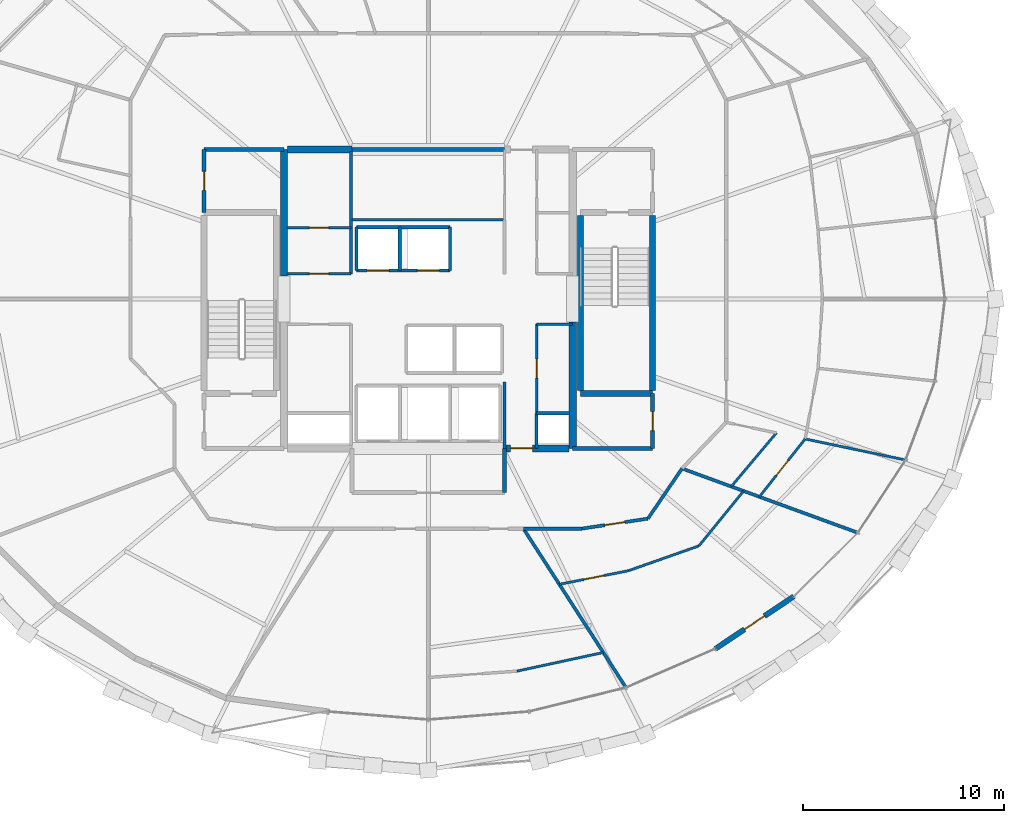
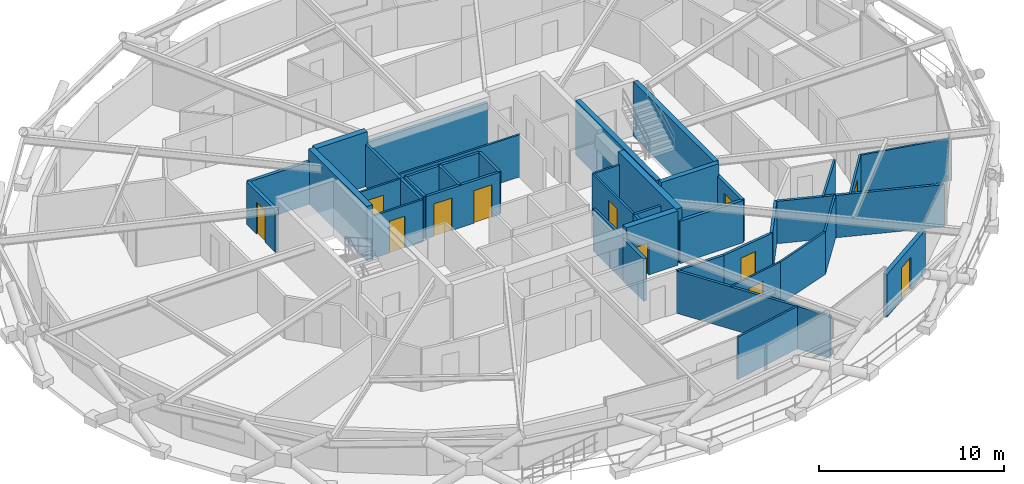
# One storey, part 16 of 20: 40 walls, 12 doors, 12 openings.
"""IFC4 building model written with IfcOpenShell, lengths in metres."""

from ifc_helpers import new_model, si_unit, direction, frame, frame_2d, origin, place, context, subcontext, project, spatial, rectangle, extrude, material, layer, layer_set, type_object, element, fill, save


model = new_model("IFC4")

# Units and contexts
model_context = context("Model", 3, precision=1e-05, world=origin(), true_north=direction((0.0, 1.0)))
body_context = subcontext(model_context, "Body", "Model", "MODEL_VIEW")
ifc_project = project(units=[si_unit("LENGTHUNIT", "METRE"), si_unit("AREAUNIT", "SQUARE_METRE"), si_unit("VOLUMEUNIT", "CUBIC_METRE"), si_unit("PLANEANGLEUNIT", "RADIAN"), si_unit("MASSUNIT", "GRAM", prefix="KILO")], contexts=[model_context])

# Site, building, storey
site_placement = place(None, origin())
site = spatial("IfcSite", under=ifc_project, at=site_placement, CompositionType="ELEMENT")
building_placement = place(site_placement, origin())
building = spatial("IfcBuilding", under=site, at=building_placement, Name="Veldorina Hangang Commons", CompositionType="ELEMENT")
storey_placement = place(building_placement, frame((0.0, 0.0, 153.199951171875)))
storey = spatial("IfcBuildingStorey", under=building, at=storey_placement, Name="L39", CompositionType="ELEMENT", Elevation=153.199951171875)

# Walls
ifc_material_1 = material(Name="Concrete C60/75", Category="concrete")
ifc_layer_1 = layer(ifc_material_1, 0.360107421875)
ifc_layer_set_1 = layer_set([ifc_layer_1], Name="Concrete C60/75")
wall_type_1 = type_object("IfcWallType", Name="CW-RC360-C60", PredefinedType="SHEAR", material=ifc_layer_set_1)
for number, where, z_axis, x_axis, name in (
    (1, (24.800048828125, 25.14990234375, 0.0), (0.0, 0.0, 1.0), (0.0, 1.0, 0.0), "L39 W north core shear wall"),
    (2, (39.199951171875, 16.550048828125, 0.0), (0.0, 0.0, 1.0), (0.0, 1.0, 0.0), "L39 E south core shear wall"),
):
    element("IfcWall", number, at=place(storey_placement, frame(where, z_axis=z_axis, x_axis=x_axis)), inside=storey, type_object=wall_type_1, Name=name, PredefinedType="SHEAR", context=body_context, shape_type="SweptSolid", body=[
        extrude(rectangle(XDim=6.300048828125, YDim=0.360107421875, at=frame_2d((3.14990234375, 0.0))), origin(), (0.0, 0.0, 1.0), 3.60009765625),
    ])

# Wall, opening, door
wall_1_placement = place(storey_placement, frame((35.800048828125, 16.550048828125, 0.0), z_axis=(0.0, 0.0, 1.0), x_axis=(1.0, 0.0, 0.0)))
wall_1 = element("IfcWall", 3, at=wall_1_placement, inside=storey, type_object=wall_type_1, Name="L39 south-east core shear wall", PredefinedType="SHEAR", context=body_context, shape_type="SweptSolid", body=[
    extrude(rectangle(XDim=3.219970703125, YDim=0.360107421875, at=frame_2d((1.60986328125, 0.0))), origin(), (0.0, 0.0, 1.0), 3.60009765625),
])
opening_1_placement = place(wall_1_placement, frame((0.300048828125, 0.0, 0.0)))
opening_1 = element("IfcOpeningElement", 4, at=opening_1_placement, cuts=wall_1, Name="Opening D-08", PredefinedType="OPENING", context=body_context, shape_type="SweptSolid", body=[
    extrude(rectangle(XDim=1.10009765625, YDim=2.10009765625, at=frame_2d((0.550048828125, 1.050048828125))), frame((0.0, 0.18994140625, 0.0), z_axis=(0.0, -1.0, 0.0), x_axis=(1.0, 0.0, 0.0)), (0.0, 0.0, 1.0), 0.380126953125),
])
ifc_material_2 = material(Name="Steel Fire-Rated Smoke Seal", Category="steel")
door_type_1 = type_object("IfcDoorType", Name="DR-FIRE-1100", OperationType="SINGLE_SWING_RIGHT", PredefinedType="DOOR", material=ifc_material_2)
door_1_placement = place(opening_1_placement, origin())
door_1 = element("IfcDoor", 5, at=door_1_placement, inside=storey, type_object=door_type_1, Name="L39 central lift lobby south corridor door", OperationType="SINGLE_SWING_RIGHT", OverallHeight=2.10009765625, OverallWidth=1.10009765625, PredefinedType="DOOR", context=body_context, shape_type="SweptSolid", body=[
    extrude(rectangle(XDim=1.10009765625, YDim=2.10009765625, at=frame_2d((0.550048828125, 1.050048828125))), frame((0.0, 0.02490234375, 0.0), z_axis=(0.0, -1.0, 0.0), x_axis=(1.0, 0.0, 0.0)), (0.0, 0.0, 1.0), 0.050048828125),
])
fill(opening_1, door_1)

# Wall
wall_2_placement = place(storey_placement, frame((24.97998046875, 31.449951171875, 0.0), z_axis=(0.0, 0.0, 1.0), x_axis=(1.0, 0.0, 0.0)))
element("IfcWall", 6, at=wall_2_placement, inside=storey, type_object=wall_type_1, Name="L39 north-west core shear wall", PredefinedType="SHEAR", context=body_context, shape_type="SweptSolid", body=[
    extrude(rectangle(XDim=3.219970703125, YDim=0.360107421875, at=frame_2d((1.60986328125, 0.0))), origin(), (0.0, 0.0, 1.0), 3.60009765625),
])

# Wall, opening, door
ifc_material_3 = material(Name="Stone Roman Travertine", Category="masonry")
ifc_layer_2 = layer(ifc_material_3, 0.260009765625)
ifc_layer_set_2 = layer_set([ifc_layer_2], Name="Stone Roman Travertine")
wall_type_2 = type_object("IfcWallType", Name="EW-LOGGIA-260", PredefinedType="STANDARD", material=ifc_layer_set_2)
wall_3_placement = place(storey_placement, frame((46.311767578125, 6.558837890625, 0.0), z_axis=(0.0, 0.0, 1.0), x_axis=(0.831449829395, 0.555599839092, 0.0)))
wall_3 = element("IfcWall", 7, at=wall_3_placement, inside=storey, type_object=wall_type_2, Name="L39 sky-garden loggia portal wall 27", PredefinedType="STANDARD", context=body_context, shape_type="SweptSolid", body=[
    extrude(rectangle(XDim=4.695068359375, YDim=0.260009765625, at=frame_2d((2.34765625, 0.0))), origin(), (0.0, 0.0, 1.0), 2.820068359375),
])
opening_2_placement = place(wall_3_placement, frame((1.74755859375, 0.0, 0.0)))
opening_2 = element("IfcOpeningElement", 8, at=opening_2_placement, cuts=wall_3, Name="Opening BD-1200", PredefinedType="OPENING", context=body_context, shape_type="SweptSolid", body=[
    extrude(rectangle(XDim=1.199951171875, YDim=2.14990234375, at=frame_2d((0.60009765625, 1.074951171875))), frame((0.0, 0.14013671875, 0.0), z_axis=(0.0, -1.0, 0.0), x_axis=(1.0, 0.0, 0.0)), (0.0, 0.0, 1.0), 0.280029296875),
])
ifc_material_4 = material(Name="Glass Thermal Aluminium Frame", Category="aluminium")
door_type_2 = type_object("IfcDoorType", Name="DR-EXT-LOG1200", OperationType="SINGLE_SWING_LEFT", PredefinedType="DOOR", material=ifc_material_4)
door_2_placement = place(opening_2_placement, origin())
door_2 = element("IfcDoor", 9, at=door_2_placement, inside=storey, type_object=door_type_2, Name="L39 loggia glazed exterior door 27", OperationType="SINGLE_SWING_RIGHT", OverallHeight=2.14990234375, OverallWidth=1.199951171875, PredefinedType="DOOR", context=body_context, shape_type="SweptSolid", body=[
    extrude(rectangle(XDim=1.199951171875, YDim=2.14990234375, at=frame_2d((0.60009765625, 1.074951171875))), frame((0.0, 0.02490234375, 0.0), z_axis=(0.0, -1.0, 0.0), x_axis=(1.0, 0.0, 0.0)), (0.0, 0.0, 1.0), 0.050048828125),
])
fill(opening_2, door_2)

# Walls
ifc_material_5 = material(Name="Concrete C50/60", Category="concrete")
ifc_layer_3 = layer(ifc_material_5, 0.300048828125)
ifc_layer_set_3 = layer_set([ifc_layer_3], Name="Concrete C50/60")
wall_type_3 = type_object("IfcWallType", Name="SW-STAIR-300", PredefinedType="SHEAR", material=ifc_layer_set_3)
for number, where, z_axis, x_axis, name in (
    (10, (43.179931640625, 19.429931640625, 0.0), (0.0, 0.0, 1.0), (0.0, 1.0, 0.0), "L39 ST2 outer stair shear wall"),
    (11, (39.580078125, 19.429931640625, 0.0), (0.0, 0.0, 1.0), (0.0, 1.0, 0.0), "L39 ST2 inner stair shear wall"),
):
    element("IfcWall", number, at=place(storey_placement, frame(where, z_axis=z_axis, x_axis=x_axis)), inside=storey, type_object=wall_type_3, Name=name, PredefinedType="SHEAR", context=body_context, shape_type="SweptSolid", body=[
        extrude(rectangle(XDim=8.739990234375, YDim=0.300048828125, at=frame_2d((4.3701171875, 0.0))), origin(), (0.0, 0.0, 1.0), 3.60009765625),
    ])
wall_4_placement = place(storey_placement, frame((39.580078125, 19.280029296875, 0.0), z_axis=(0.0, 0.0, 1.0), x_axis=(1.0, 0.0, 0.0)))
element("IfcWall", 12, at=wall_4_placement, inside=storey, type_object=wall_type_3, Name="L39 ST2 south stair shear wall", PredefinedType="SHEAR", context=body_context, shape_type="SweptSolid", body=[
    extrude(rectangle(XDim=3.599853515625, YDim=0.300048828125, at=frame_2d((1.7998046875, 0.0))), origin(), (0.0, 0.0, 1.0), 3.60009765625),
])
ifc_material_6 = material(Name="Gypsum Fire-Rated Twin Stud Wall", Category="gypsum")
ifc_layer_4 = layer(ifc_material_6, 0.159912109375)
ifc_layer_set_4 = layer_set([ifc_layer_4], Name="Gypsum Fire-Rated Twin Stud Wall")
wall_type_4 = type_object("IfcWallType", Name="WL-FIRE-160", PredefinedType="SOLIDWALL", material=ifc_layer_set_4)
wall_5_placement = place(storey_placement, frame((35.800048828125, 16.550048828125, 0.0), z_axis=(0.0, 0.0, 1.0), x_axis=(0.0, 1.0, 0.0)))
element("IfcWall", 13, at=wall_5_placement, inside=storey, type_object=wall_type_4, Name="L39 Lift passage SW wall 009", PredefinedType="SOLIDWALL", context=body_context, shape_type="SweptSolid", body=[
    extrude(rectangle(XDim=3.300048828125, YDim=0.159912109375, at=frame_2d((1.64990234375, 0.0))), origin(), (0.0, 0.0, 1.0), 2.800048828125),
])
wall_6_placement = place(storey_placement, frame((37.39990234375, 16.550048828125, 0.0), z_axis=(0.0, 0.0, 1.0), x_axis=(0.0, 1.0, 0.0)))
element("IfcWall", 14, at=wall_6_placement, inside=storey, type_object=wall_type_4, Name="L39 Lift passage SE stub 010", PredefinedType="SOLIDWALL", context=body_context, shape_type="SweptSolid", body=[
    extrude(rectangle(XDim=1.75, YDim=0.159912109375, at=frame_2d((0.875, 0.0))), origin(), (0.0, 0.0, 1.0), 2.800048828125),
])

# Wall, openings, doors
wall_7_placement = place(storey_placement, frame((28.419921875, 25.419921875, 0.0), z_axis=(0.0, 0.0, 1.0), x_axis=(1.0, 0.0, 0.0)))
wall_7 = element("IfcWall", 15, at=wall_7_placement, inside=storey, type_object=wall_type_4, Name="L39 Mid-high front shaft wall 015", PredefinedType="SOLIDWALL", context=body_context, shape_type="SweptSolid", body=[
    extrude(rectangle(XDim=4.66015625, YDim=0.159912109375, at=frame_2d((2.330078125, 0.0))), origin(), (0.0, 0.0, 1.0), 2.800048828125),
])
opening_3_placement = place(wall_7_placement, frame((0.530029296875, 0.0, 0.0)))
opening_3 = element("IfcOpeningElement", 16, at=opening_3_placement, cuts=wall_7, Name="Opening LD-01", PredefinedType="OPENING", context=body_context, shape_type="SweptSolid", body=[
    extrude(rectangle(XDim=1.10009765625, YDim=2.14990234375, at=frame_2d((0.550048828125, 1.074951171875))), frame((0.0, 0.08984375, 0.0), z_axis=(0.0, -1.0, 0.0), x_axis=(1.0, 0.0, 0.0)), (0.0, 0.0, 1.0), 0.179931640625),
])
opening_4_placement = place(wall_7_placement, frame((3.030029296875, 0.0, 0.0)))
opening_4 = element("IfcOpeningElement", 17, at=opening_4_placement, cuts=wall_7, Name="Opening LD-01", PredefinedType="OPENING", context=body_context, shape_type="SweptSolid", body=[
    extrude(rectangle(XDim=1.10009765625, YDim=2.14990234375, at=frame_2d((0.550048828125, 1.074951171875))), frame((0.0, 0.08984375, 0.0), z_axis=(0.0, -1.0, 0.0), x_axis=(1.0, 0.0, 0.0)), (0.0, 0.0, 1.0), 0.179931640625),
])
ifc_material_7 = material(Name="Stainless Steel Brushed Lift Door", Category="steel")
door_type_3 = type_object("IfcDoorType", Name="DR-LIFT-1100", OperationType="SLIDING_TO_LEFT", PredefinedType="DOOR", material=ifc_material_7)
door_3_placement = place(opening_3_placement, origin())
door_3 = element("IfcDoor", 18, at=door_3_placement, inside=storey, type_object=door_type_3, Name="L39 Lift PL-M1 landing door 006", OperationType="SLIDING_TO_RIGHT", OverallHeight=2.14990234375, OverallWidth=1.10009765625, PredefinedType="DOOR", context=body_context, shape_type="SweptSolid", body=[
    extrude(rectangle(XDim=1.10009765625, YDim=2.14990234375, at=frame_2d((0.550048828125, 1.074951171875))), frame((0.0, 0.02490234375, 0.0), z_axis=(0.0, -1.0, 0.0), x_axis=(1.0, 0.0, 0.0)), (0.0, 0.0, 1.0), 0.050048828125),
])
fill(opening_3, door_3)
door_4_placement = place(opening_4_placement, origin())
door_4 = element("IfcDoor", 19, at=door_4_placement, inside=storey, type_object=door_type_3, Name="L39 Lift PL-M2 landing door 007", OperationType="SLIDING_TO_RIGHT", OverallHeight=2.14990234375, OverallWidth=1.10009765625, PredefinedType="DOOR", context=body_context, shape_type="SweptSolid", body=[
    extrude(rectangle(XDim=1.10009765625, YDim=2.14990234375, at=frame_2d((0.550048828125, 1.074951171875))), frame((0.0, 0.02490234375, 0.0), z_axis=(0.0, -1.0, 0.0), x_axis=(1.0, 0.0, 0.0)), (0.0, 0.0, 1.0), 0.050048828125),
])
fill(opening_4, door_4)

# Walls
wall_8_placement = place(storey_placement, frame((28.419921875, 27.580078125, 0.0), z_axis=(0.0, 0.0, 1.0), x_axis=(1.0, 0.0, 0.0)))
element("IfcWall", 20, at=wall_8_placement, inside=storey, type_object=wall_type_4, Name="L39 Mid-high rear shaft wall 016", PredefinedType="SOLIDWALL", context=body_context, shape_type="SweptSolid", body=[
    extrude(rectangle(XDim=4.66015625, YDim=0.159912109375, at=frame_2d((2.330078125, 0.0))), origin(), (0.0, 0.0, 1.0), 2.800048828125),
])
for number, where, z_axis, x_axis, name in (
    (21, (28.419921875, 25.419921875, 0.0), (0.0, 0.0, 1.0), (0.0, 1.0, 0.0), "L39 PL-M1 west shaft wall 017"),
    (22, (30.580078125, 25.419921875, 0.0), (0.0, 0.0, 1.0), (0.0, 1.0, 0.0), "L39 PL-M1 east shaft wall 018"),
    (23, (33.080078125, 25.419921875, 0.0), (0.0, 0.0, 1.0), (0.0, 1.0, 0.0), "L39 PL-M2 east shaft wall 019"),
):
    element("IfcWall", number, at=place(storey_placement, frame(where, z_axis=z_axis, x_axis=x_axis)), inside=storey, type_object=wall_type_4, Name=name, PredefinedType="SOLIDWALL", context=body_context, shape_type="SweptSolid", body=[
        extrude(rectangle(XDim=2.16015625, YDim=0.159912109375, at=frame_2d((1.080078125, 0.0))), origin(), (0.0, 0.0, 1.0), 2.800048828125),
    ])
wall_9_placement = place(storey_placement, frame((37.39990234375, 18.300048828125, 0.0), z_axis=(0.0, 0.0, 1.0), x_axis=(1.0, 0.0, 0.0)))
element("IfcWall", 24, at=wall_9_placement, inside=storey, type_object=wall_type_4, Name="L39 Plumbing riser wall 036", PredefinedType="SOLIDWALL", context=body_context, shape_type="SweptSolid", body=[
    extrude(rectangle(XDim=1.650146484375, YDim=0.159912109375, at=frame_2d((0.8251953125, 0.0))), origin(), (0.0, 0.0, 1.0), 2.800048828125),
])
wall_10_placement = place(storey_placement, frame((28.14990234375, 25.25, 0.0), z_axis=(0.0, 0.0, 1.0), x_axis=(0.0, 1.0, 0.0)))
element("IfcWall", 25, at=wall_10_placement, inside=storey, type_object=wall_type_4, Name="L39 NW core inner wall 037", PredefinedType="SOLIDWALL", context=body_context, shape_type="SweptSolid", body=[
    extrude(rectangle(XDim=6.10009765625, YDim=0.159912109375, at=frame_2d((3.050048828125, 0.0))), origin(), (0.0, 0.0, 1.0), 2.800048828125),
])
wall_11_placement = place(storey_placement, frame((36.74267578125, 12.550048828125, 0.0), z_axis=(0.0, 0.0, 1.0), x_axis=(1.0, 0.0, 0.0)))
element("IfcWall", 26, at=wall_11_placement, inside=storey, type_object=wall_type_4, Name="L39 U-corridor outer wall 26 072", PredefinedType="SOLIDWALL", context=body_context, shape_type="SweptSolid", body=[
    extrude(rectangle(XDim=2.907958984375, YDim=0.159912109375, at=frame_2d((1.4541015625, 0.0))), origin(), (0.0, 0.0, 1.0), 2.800048828125),
])

# Wall, opening, door
wall_12_placement = place(storey_placement, frame((39.650634765625, 12.550048828125, 0.0), z_axis=(0.0, 0.0, 1.0), x_axis=(0.988710906508, 0.149835721217, 0.0)))
wall_12 = element("IfcWall", 27, at=wall_12_placement, inside=storey, type_object=wall_type_4, Name="L39 U-corridor outer wall 27 073", PredefinedType="SOLIDWALL", context=body_context, shape_type="SweptSolid", body=[
    extrude(rectangle(XDim=3.3369140625, YDim=0.159912109375, at=frame_2d((1.66845703125, 0.0))), origin(), (0.0, 0.0, 1.0), 2.800048828125),
])
opening_5_placement = place(wall_12_placement, frame((1.16845703125, 0.0, 0.0)))
opening_5 = element("IfcOpeningElement", 28, at=opening_5_placement, cuts=wall_12, Name="Opening D-05", PredefinedType="OPENING", context=body_context, shape_type="SweptSolid", body=[
    extrude(rectangle(XDim=1.0, YDim=2.10009765625, at=frame_2d((0.5, 1.050048828125))), frame((0.0, 0.08984375, 0.0), z_axis=(0.0, -1.0, 0.0), x_axis=(1.0, 0.0, 0.0)), (0.0, 0.0, 1.0), 0.179931640625),
])
ifc_material_8 = material(Name="Timber Solid Core Acoustic", Category="wood")
door_type_4 = type_object("IfcDoorType", Name="DR-INT-1000", OperationType="SINGLE_SWING_RIGHT", PredefinedType="DOOR", material=ifc_material_8)
door_5_placement = place(opening_5_placement, origin())
door_5 = element("IfcDoor", 29, at=door_5_placement, inside=storey, type_object=door_type_4, Name="L39 Commons alcove door 018", OperationType="SINGLE_SWING_RIGHT", OverallHeight=2.10009765625, OverallWidth=1.0, PredefinedType="DOOR", context=body_context, shape_type="SweptSolid", body=[
    extrude(rectangle(XDim=1.0, YDim=2.10009765625, at=frame_2d((0.5, 1.050048828125))), frame((0.0, 0.02490234375, 0.0), z_axis=(0.0, -1.0, 0.0), x_axis=(1.0, 0.0, 0.0)), (0.0, 0.0, 1.0), 0.050048828125),
])
fill(opening_5, door_5)

# Walls
wall_13_placement = place(storey_placement, frame((42.949951171875, 13.050048828125, 0.0), z_axis=(0.0, 0.0, 1.0), x_axis=(0.562674669208, 0.826678423955, 0.0)))
element("IfcWall", 30, at=wall_13_placement, inside=storey, type_object=wall_type_4, Name="L39 U-corridor outer wall 28 074", PredefinedType="SOLIDWALL", context=body_context, shape_type="SweptSolid", body=[
    extrude(rectangle(XDim=3.021240234375, YDim=0.159912109375, at=frame_2d((1.5107421875, 0.0))), origin(), (0.0, 0.0, 1.0), 2.800048828125),
])
wall_14_placement = place(storey_placement, frame((36.74267578125, 12.550048828125, 0.0), z_axis=(0.0, 0.0, 1.0), x_axis=(0.542092508386, -0.840318815898, 0.0)))
element("IfcWall", 31, at=wall_14_placement, inside=storey, type_object=wall_type_4, Name="L39 Unit party wall 26 078", PredefinedType="SOLIDWALL", context=body_context, shape_type="SweptSolid", body=[
    extrude(rectangle(XDim=9.386474609375, YDim=0.159912109375, at=frame_2d((4.693359375, 0.0))), origin(), (0.0, 0.0, 1.0), 2.800048828125),
])
wall_15_placement = place(storey_placement, frame((44.64990234375, 15.547607421875, 0.0), z_axis=(0.0, 0.0, 1.0), x_axis=(0.939358933145, -0.342935554763, 0.0)))
element("IfcWall", 32, at=wall_15_placement, inside=storey, type_object=wall_type_4, Name="L39 Unit party wall 29 082", PredefinedType="SOLIDWALL", context=body_context, shape_type="SweptSolid", body=[
    extrude(rectangle(XDim=9.285400390625, YDim=0.159912109375, at=frame_2d((4.642578125, 0.0))), origin(), (0.0, 0.0, 1.0), 2.800048828125),
])

# Wall, opening, door
ifc_material_9 = material(Name="Concrete Blockwork Fire Wall C30/37", Category="masonry")
ifc_layer_5 = layer(ifc_material_9, 0.199951171875)
ifc_layer_set_5 = layer_set([ifc_layer_5], Name="Concrete Blockwork Fire Wall C30/37")
wall_type_5 = type_object("IfcWallType", Name="WL-FIRE-200", PredefinedType="SOLIDWALL", material=ifc_layer_set_5)
wall_16_placement = place(storey_placement, frame((20.820068359375, 28.320068359375, 0.0), z_axis=(0.0, 0.0, 1.0), x_axis=(0.0, 1.0, 0.0)))
wall_16 = element("IfcWall", 33, at=wall_16_placement, inside=storey, type_object=wall_type_5, Name="L39 NW core room outer wall 005", PredefinedType="SOLIDWALL", context=body_context, shape_type="SweptSolid", body=[
    extrude(rectangle(XDim=3.1298828125, YDim=0.199951171875, at=frame_2d((1.56494140625, 0.0))), origin(), (0.0, 0.0, 1.0), 2.800048828125),
])
opening_6_placement = place(wall_16_placement, frame((1.090087890625, 0.0, 0.0)))
opening_6 = element("IfcOpeningElement", 34, at=opening_6_placement, cuts=wall_16, Name="Opening D-04", PredefinedType="OPENING", context=body_context, shape_type="SweptSolid", body=[
    extrude(rectangle(XDim=0.949951171875, YDim=2.10009765625, at=frame_2d((0.47509765625, 1.050048828125))), frame((0.0, 0.10986328125, 0.0), z_axis=(0.0, -1.0, 0.0), x_axis=(1.0, 0.0, 0.0)), (0.0, 0.0, 1.0), 0.219970703125),
])
ifc_material_10 = material(Name="Timber Accessible Flush Leaf", Category="wood")
door_type_5 = type_object("IfcDoorType", Name="DR-ACC-950", OperationType="SINGLE_SWING_LEFT", PredefinedType="DOOR", material=ifc_material_10)
door_6_placement = place(opening_6_placement, origin())
door_6 = element("IfcDoor", 35, at=door_6_placement, inside=storey, type_object=door_type_5, Name="L39 NW core WC door 003", OperationType="SINGLE_SWING_LEFT", OverallHeight=2.10009765625, OverallWidth=0.949951171875, PredefinedType="DOOR", context=body_context, shape_type="SweptSolid", body=[
    extrude(rectangle(XDim=0.949951171875, YDim=2.10009765625, at=frame_2d((0.47509765625, 1.050048828125))), frame((0.0, 0.02490234375, 0.0), z_axis=(0.0, -1.0, 0.0), x_axis=(1.0, 0.0, 0.0)), (0.0, 0.0, 1.0), 0.050048828125),
])
fill(opening_6, door_6)

# Wall
wall_17_placement = place(storey_placement, frame((20.820068359375, 31.449951171875, 0.0), z_axis=(0.0, 0.0, 1.0), x_axis=(1.0, 0.0, 0.0)))
element("IfcWall", 36, at=wall_17_placement, inside=storey, type_object=wall_type_5, Name="L39 NW core room north wall 006", PredefinedType="SOLIDWALL", context=body_context, shape_type="SweptSolid", body=[
    extrude(rectangle(XDim=3.97998046875, YDim=0.199951171875, at=frame_2d((1.989990234375, 0.0))), origin(), (0.0, 0.0, 1.0), 2.800048828125),
])

# Wall, opening, door
wall_18_placement = place(storey_placement, frame((43.179931640625, 16.550048828125, 0.0), z_axis=(0.0, 0.0, 1.0), x_axis=(0.0, 1.0, 0.0)))
wall_18 = element("IfcWall", 37, at=wall_18_placement, inside=storey, type_object=wall_type_5, Name="L39 SE core room outer wall 007", PredefinedType="SOLIDWALL", context=body_context, shape_type="SweptSolid", body=[
    extrude(rectangle(XDim=2.72998046875, YDim=0.199951171875, at=frame_2d((1.364990234375, 0.0))), origin(), (0.0, 0.0, 1.0), 2.800048828125),
])
opening_7_placement = place(wall_18_placement, frame((0.889892578125, 0.0, 0.0)))
opening_7 = element("IfcOpeningElement", 38, at=opening_7_placement, cuts=wall_18, Name="Opening D-02", PredefinedType="OPENING", context=body_context, shape_type="SweptSolid", body=[
    extrude(rectangle(XDim=0.949951171875, YDim=2.10009765625, at=frame_2d((0.47509765625, 1.050048828125))), frame((0.0, 0.10986328125, 0.0), z_axis=(0.0, -1.0, 0.0), x_axis=(1.0, 0.0, 0.0)), (0.0, 0.0, 1.0), 0.219970703125),
])
door_type_6 = type_object("IfcDoorType", Name="DR-INT-950", OperationType="SINGLE_SWING_LEFT", PredefinedType="DOOR", material=ifc_material_8)
door_7_placement = place(opening_7_placement, origin())
door_7 = element("IfcDoor", 39, at=door_7_placement, inside=storey, type_object=door_type_6, Name="L39 SE core WC door 004", OperationType="SINGLE_SWING_RIGHT", OverallHeight=2.10009765625, OverallWidth=0.949951171875, PredefinedType="DOOR", context=body_context, shape_type="SweptSolid", body=[
    extrude(rectangle(XDim=0.949951171875, YDim=2.10009765625, at=frame_2d((0.47509765625, 1.050048828125))), frame((0.0, 0.02490234375, 0.0), z_axis=(0.0, -1.0, 0.0), x_axis=(1.0, 0.0, 0.0)), (0.0, 0.0, 1.0), 0.050048828125),
])
fill(opening_7, door_7)

# Walls
wall_19_placement = place(storey_placement, frame((39.199951171875, 16.550048828125, 0.0), z_axis=(0.0, 0.0, 1.0), x_axis=(1.0, 0.0, 0.0)))
element("IfcWall", 40, at=wall_19_placement, inside=storey, type_object=wall_type_5, Name="L39 SE core room south wall 008", PredefinedType="SOLIDWALL", context=body_context, shape_type="SweptSolid", body=[
    extrude(rectangle(XDim=3.97998046875, YDim=0.199951171875, at=frame_2d((1.989990234375, 0.0))), origin(), (0.0, 0.0, 1.0), 2.800048828125),
])
wall_20_placement = place(storey_placement, frame((35.800048828125, 14.35009765625, 0.0), z_axis=(0.0, 0.0, 1.0), x_axis=(0.0, 1.0, 0.0)))
element("IfcWall", 41, at=wall_20_placement, inside=storey, type_object=wall_type_5, Name="L39 FF lobby east wall 013", PredefinedType="SOLIDWALL", context=body_context, shape_type="SweptSolid", body=[
    extrude(rectangle(XDim=2.199951171875, YDim=0.199951171875, at=frame_2d((1.10009765625, 0.0))), origin(), (0.0, 0.0, 1.0), 2.800048828125),
])
wall_21_placement = place(storey_placement, frame((28.199951171875, 31.449951171875, 0.0), z_axis=(0.0, 0.0, 1.0), x_axis=(1.0, 0.0, 0.0)))
element("IfcWall", 42, at=wall_21_placement, inside=storey, type_object=wall_type_5, Name="L39 Merged north core wall 031", PredefinedType="SOLIDWALL", context=body_context, shape_type="SweptSolid", body=[
    extrude(rectangle(XDim=7.60009765625, YDim=0.199951171875, at=frame_2d((3.800048828125, 0.0))), origin(), (0.0, 0.0, 1.0), 2.800048828125),
])
ifc_material_11 = material(Name="Gypsum Acoustic Stud Partition", Category="gypsum")
ifc_layer_6 = layer(ifc_material_11, 0.1201171875)
ifc_layer_set_6 = layer_set([ifc_layer_6], Name="Gypsum Acoustic Stud Partition")
wall_type_6 = type_object("IfcWallType", Name="WL-PART-120", PredefinedType="PARTITIONING", material=ifc_layer_set_6)
wall_22_placement = place(storey_placement, frame((28.199951171875, 27.949951171875, 0.0), z_axis=(0.0, 0.0, 1.0), x_axis=(1.0, 0.0, 0.0)))
element("IfcWall", 43, at=wall_22_placement, inside=storey, type_object=wall_type_6, Name="L39 Merged north south wall 032", PredefinedType="PARTITIONING", context=body_context, shape_type="SweptSolid", body=[
    extrude(rectangle(XDim=7.60009765625, YDim=0.1201171875, at=frame_2d((3.800048828125, 0.0))), origin(), (0.0, 0.0, 1.0), 2.800048828125),
])

# Wall, opening, door
wall_23_placement = place(storey_placement, frame((24.949951171875, 25.25, 0.0), z_axis=(0.0, 0.0, 1.0), x_axis=(1.0, 0.0, 0.0)))
wall_23 = element("IfcWall", 44, at=wall_23_placement, inside=storey, type_object=wall_type_6, Name="L39 NW service south wall 038", PredefinedType="PARTITIONING", context=body_context, shape_type="SweptSolid", body=[
    extrude(rectangle(XDim=3.199951171875, YDim=0.1201171875, at=frame_2d((1.60009765625, 0.0))), origin(), (0.0, 0.0, 1.0), 2.800048828125),
])
opening_8_placement = place(wall_23_placement, frame((1.125, 0.0, 0.0)))
opening_8 = element("IfcOpeningElement", 45, at=opening_8_placement, cuts=wall_23, Name="Opening D-02", PredefinedType="OPENING", context=body_context, shape_type="SweptSolid", body=[
    extrude(rectangle(XDim=0.949951171875, YDim=2.10009765625, at=frame_2d((0.47509765625, 1.050048828125))), frame((0.0, 0.070068359375, 0.0), z_axis=(0.0, -1.0, 0.0), x_axis=(1.0, 0.0, 0.0)), (0.0, 0.0, 1.0), 0.14013671875),
])
door_8_placement = place(opening_8_placement, origin())
door_8 = element("IfcDoor", 46, at=door_8_placement, inside=storey, type_object=door_type_6, Name="L39 Housekeeping pantry door 012", OperationType="SINGLE_SWING_RIGHT", OverallHeight=2.10009765625, OverallWidth=0.949951171875, PredefinedType="DOOR", context=body_context, shape_type="SweptSolid", body=[
    extrude(rectangle(XDim=0.949951171875, YDim=2.10009765625, at=frame_2d((0.47509765625, 1.050048828125))), frame((0.0, 0.02490234375, 0.0), z_axis=(0.0, -1.0, 0.0), x_axis=(1.0, 0.0, 0.0)), (0.0, 0.0, 1.0), 0.050048828125),
])
fill(opening_8, door_8)

wall_24_placement = place(storey_placement, frame((37.39990234375, 18.300048828125, 0.0), z_axis=(0.0, 0.0, 1.0), x_axis=(0.0, 1.0, 0.0)))
wall_24 = element("IfcWall", 47, at=wall_24_placement, inside=storey, type_object=wall_type_6, Name="L39 SE strip lobby wall 042", PredefinedType="PARTITIONING", context=body_context, shape_type="SweptSolid", body=[
    extrude(rectangle(XDim=4.449951171875, YDim=0.1201171875, at=frame_2d((2.22509765625, 0.0))), origin(), (0.0, 0.0, 1.0), 2.800048828125),
])
opening_9_placement = place(wall_24_placement, frame((1.75, 0.0, 0.0)))
opening_9 = element("IfcOpeningElement", 48, at=opening_9_placement, cuts=wall_24, Name="Opening D-02", PredefinedType="OPENING", context=body_context, shape_type="SweptSolid", body=[
    extrude(rectangle(XDim=0.949951171875, YDim=2.10009765625, at=frame_2d((0.47509765625, 1.050048828125))), frame((0.0, 0.070068359375, 0.0), z_axis=(0.0, -1.0, 0.0), x_axis=(1.0, 0.0, 0.0)), (0.0, 0.0, 1.0), 0.14013671875),
])
door_9_placement = place(opening_9_placement, origin())
door_9 = element("IfcDoor", 49, at=door_9_placement, inside=storey, type_object=door_type_6, Name="L39 Cleaners supply door 017", OperationType="SINGLE_SWING_LEFT", OverallHeight=2.10009765625, OverallWidth=0.949951171875, PredefinedType="DOOR", context=body_context, shape_type="SweptSolid", body=[
    extrude(rectangle(XDim=0.949951171875, YDim=2.10009765625, at=frame_2d((0.47509765625, 1.050048828125))), frame((0.0, 0.02490234375, 0.0), z_axis=(0.0, -1.0, 0.0), x_axis=(1.0, 0.0, 0.0)), (0.0, 0.0, 1.0), 0.050048828125),
])
fill(opening_9, door_9)

# Wall
wall_25_placement = place(storey_placement, frame((37.39990234375, 22.75, 0.0), z_axis=(0.0, 0.0, 1.0), x_axis=(1.0, 0.0, 0.0)))
element("IfcWall", 50, at=wall_25_placement, inside=storey, type_object=wall_type_6, Name="L39 SE strip north return wall 043", PredefinedType="PARTITIONING", context=body_context, shape_type="SweptSolid", body=[
    extrude(rectangle(XDim=1.800048828125, YDim=0.1201171875, at=frame_2d((0.89990234375, 0.0))), origin(), (0.0, 0.0, 1.0), 2.800048828125),
])

# Wall, opening, door
wall_26_placement = place(storey_placement, frame((24.949951171875, 27.550048828125, 0.0), z_axis=(0.0, 0.0, 1.0), x_axis=(1.0, 0.0, 0.0)))
wall_26 = element("IfcWall", 51, at=wall_26_placement, inside=storey, type_object=wall_type_6, Name="L39 NW mid wall 044", PredefinedType="PARTITIONING", context=body_context, shape_type="SweptSolid", body=[
    extrude(rectangle(XDim=3.199951171875, YDim=0.1201171875, at=frame_2d((1.60009765625, 0.0))), origin(), (0.0, 0.0, 1.0), 2.800048828125),
])
opening_10_placement = place(wall_26_placement, frame((1.125, 0.0, 0.0)))
opening_10 = element("IfcOpeningElement", 52, at=opening_10_placement, cuts=wall_26, Name="Opening D-02", PredefinedType="OPENING", context=body_context, shape_type="SweptSolid", body=[
    extrude(rectangle(XDim=0.949951171875, YDim=2.10009765625, at=frame_2d((0.47509765625, 1.050048828125))), frame((0.0, 0.070068359375, 0.0), z_axis=(0.0, -1.0, 0.0), x_axis=(1.0, 0.0, 0.0)), (0.0, 0.0, 1.0), 0.14013671875),
])
door_10_placement = place(opening_10_placement, origin())
door_10 = element("IfcDoor", 53, at=door_10_placement, inside=storey, type_object=door_type_6, Name="L39 Bedding store door 013", OperationType="SINGLE_SWING_LEFT", OverallHeight=2.10009765625, OverallWidth=0.949951171875, PredefinedType="DOOR", context=body_context, shape_type="SweptSolid", body=[
    extrude(rectangle(XDim=0.949951171875, YDim=2.10009765625, at=frame_2d((0.47509765625, 1.050048828125))), frame((0.0, 0.02490234375, 0.0), z_axis=(0.0, -1.0, 0.0), x_axis=(1.0, 0.0, 0.0)), (0.0, 0.0, 1.0), 0.050048828125),
])
fill(opening_10, door_10)

wall_27_placement = place(storey_placement, frame((38.533203125, 9.774658203125, 0.0), z_axis=(0.0, 0.0, 1.0), x_axis=(0.98119294685, 0.193029534142, 0.0)))
wall_27 = element("IfcWall", 54, at=wall_27_placement, inside=storey, type_object=wall_type_6, Name="L39 Lounge alcove split 0 079", PredefinedType="PARTITIONING", context=body_context, shape_type="SweptSolid", body=[
    extrude(rectangle(XDim=3.514892578125, YDim=0.1201171875, at=frame_2d((1.75732421875, 0.0))), origin(), (0.0, 0.0, 1.0), 2.800048828125),
])
opening_11_placement = place(wall_27_placement, frame((1.257568359375, 0.0, 0.0)))
opening_11 = element("IfcOpeningElement", 55, at=opening_11_placement, cuts=wall_27, Name="Opening D-05", PredefinedType="OPENING", context=body_context, shape_type="SweptSolid", body=[
    extrude(rectangle(XDim=1.0, YDim=2.10009765625, at=frame_2d((0.5, 1.050048828125))), frame((0.0, 0.070068359375, 0.0), z_axis=(0.0, -1.0, 0.0), x_axis=(1.0, 0.0, 0.0)), (0.0, 0.0, 1.0), 0.14013671875),
])
door_11_placement = place(opening_11_placement, origin())
door_11 = element("IfcDoor", 56, at=door_11_placement, inside=storey, type_object=door_type_4, Name="L39 Commons lounge door 019", OperationType="SINGLE_SWING_LEFT", OverallHeight=2.10009765625, OverallWidth=1.0, PredefinedType="DOOR", context=body_context, shape_type="SweptSolid", body=[
    extrude(rectangle(XDim=1.0, YDim=2.10009765625, at=frame_2d((0.5, 1.050048828125))), frame((0.0, 0.02490234375, 0.0), z_axis=(0.0, -1.0, 0.0), x_axis=(1.0, 0.0, 0.0)), (0.0, 0.0, 1.0), 0.050048828125),
])
fill(opening_11, door_11)

# Walls
wall_28_placement = place(storey_placement, frame((41.98193359375, 10.453125, 0.0), z_axis=(0.0, 0.0, 1.0), x_axis=(0.94308593852, 0.332549113013, 0.0)))
element("IfcWall", 57, at=wall_28_placement, inside=storey, type_object=wall_type_6, Name="L39 Lounge alcove split 1 080", PredefinedType="PARTITIONING", context=body_context, shape_type="SweptSolid", body=[
    extrude(rectangle(XDim=3.722900390625, YDim=0.1201171875, at=frame_2d((1.861328125, 0.0))), origin(), (0.0, 0.0, 1.0), 2.800048828125),
])
wall_29_placement = place(storey_placement, frame((45.492919921875, 11.691162109375, 0.0), z_axis=(0.0, 0.0, 1.0), x_axis=(0.631181350176, 0.775635290062, 0.0)))
element("IfcWall", 58, at=wall_29_placement, inside=storey, type_object=wall_type_6, Name="L39 Lounge alcove split 2 081", PredefinedType="PARTITIONING", context=body_context, shape_type="SweptSolid", body=[
    extrude(rectangle(XDim=3.52734375, YDim=0.1201171875, at=frame_2d((1.763671875, 0.0))), origin(), (0.0, 0.0, 1.0), 2.800048828125),
])
wall_30_placement = place(storey_placement, frame((47.10546875, 14.651123046875, 0.0), z_axis=(0.0, 0.0, 1.0), x_axis=(0.644148656965, 0.764900325357, 0.0)))
element("IfcWall", 59, at=wall_30_placement, inside=storey, type_object=wall_type_6, Name="L39 Cluster 2 bath front wall 083", PredefinedType="PARTITIONING", context=body_context, shape_type="SweptSolid", body=[
    extrude(rectangle(XDim=3.49365234375, YDim=0.1201171875, at=frame_2d((1.746826171875, 0.0))), origin(), (0.0, 0.0, 1.0), 2.800048828125),
])

# Wall, opening, door
wall_31_placement = place(storey_placement, frame((48.50830078125, 14.138916015625, 0.0), z_axis=(0.0, 0.0, 1.0), x_axis=(0.620027462407, 0.784580107994, 0.0)))
wall_31 = element("IfcWall", 60, at=wall_31_placement, inside=storey, type_object=wall_type_6, Name="L39 Cluster 2 bed 1 front wall 085", PredefinedType="PARTITIONING", context=body_context, shape_type="SweptSolid", body=[
    extrude(rectangle(XDim=3.676513671875, YDim=0.1201171875, at=frame_2d((1.83837890625, 0.0))), origin(), (0.0, 0.0, 1.0), 2.800048828125),
])
opening_12_placement = place(wall_31_placement, frame((1.36328125, 0.0, 0.0)))
opening_12 = element("IfcOpeningElement", 61, at=opening_12_placement, cuts=wall_31, Name="Opening D-02", PredefinedType="OPENING", context=body_context, shape_type="SweptSolid", body=[
    extrude(rectangle(XDim=0.949951171875, YDim=2.10009765625, at=frame_2d((0.47509765625, 1.050048828125))), frame((0.0, 0.070068359375, 0.0), z_axis=(0.0, -1.0, 0.0), x_axis=(1.0, 0.0, 0.0)), (0.0, 0.0, 1.0), 0.14013671875),
])
door_12_placement = place(opening_12_placement, origin())
door_12 = element("IfcDoor", 62, at=door_12_placement, inside=storey, type_object=door_type_6, Name="L39 Cluster 2 bed 1 door 022", OperationType="SINGLE_SWING_RIGHT", OverallHeight=2.10009765625, OverallWidth=0.949951171875, PredefinedType="DOOR", context=body_context, shape_type="SweptSolid", body=[
    extrude(rectangle(XDim=0.949951171875, YDim=2.10009765625, at=frame_2d((0.47509765625, 1.050048828125))), frame((0.0, 0.02490234375, 0.0), z_axis=(0.0, -1.0, 0.0), x_axis=(1.0, 0.0, 0.0)), (0.0, 0.0, 1.0), 0.050048828125),
])
fill(opening_12, door_12)

# Walls
wall_32_placement = place(storey_placement, frame((50.787841796875, 17.0234375, 0.0), z_axis=(0.0, 0.0, 1.0), x_axis=(0.978720068991, -0.205199967239, 0.0)))
element("IfcWall", 63, at=wall_32_placement, inside=storey, type_object=wall_type_6, Name="L39 Cluster 2 bed divider 1 087", PredefinedType="PARTITIONING", context=body_context, shape_type="SweptSolid", body=[
    extrude(rectangle(XDim=5.07080078125, YDim=0.1201171875, at=frame_2d((2.535400390625, 0.0))), origin(), (0.0, 0.0, 1.0), 2.800048828125),
])
wall_33_placement = place(storey_placement, frame((36.41748046875, 5.445556640625, 0.0), z_axis=(0.0, 0.0, 1.0), x_axis=(0.977517015052, 0.210856551437, 0.0)))
element("IfcWall", 64, at=wall_33_placement, inside=storey, type_object=wall_type_6, Name="L39 Laundry split 1 118", PredefinedType="PARTITIONING", context=body_context, shape_type="SweptSolid", body=[
    extrude(rectangle(XDim=4.407958984375, YDim=0.1201171875, at=frame_2d((2.2041015625, 0.0))), origin(), (0.0, 0.0, 1.0), 2.800048828125),
])

save(model, "model.ifc")
